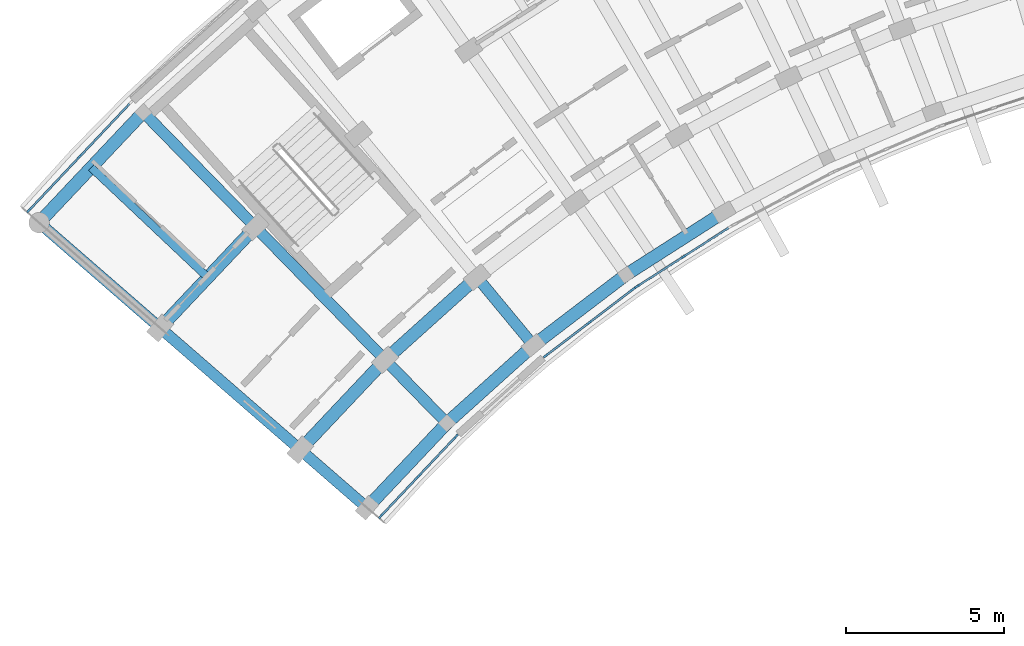
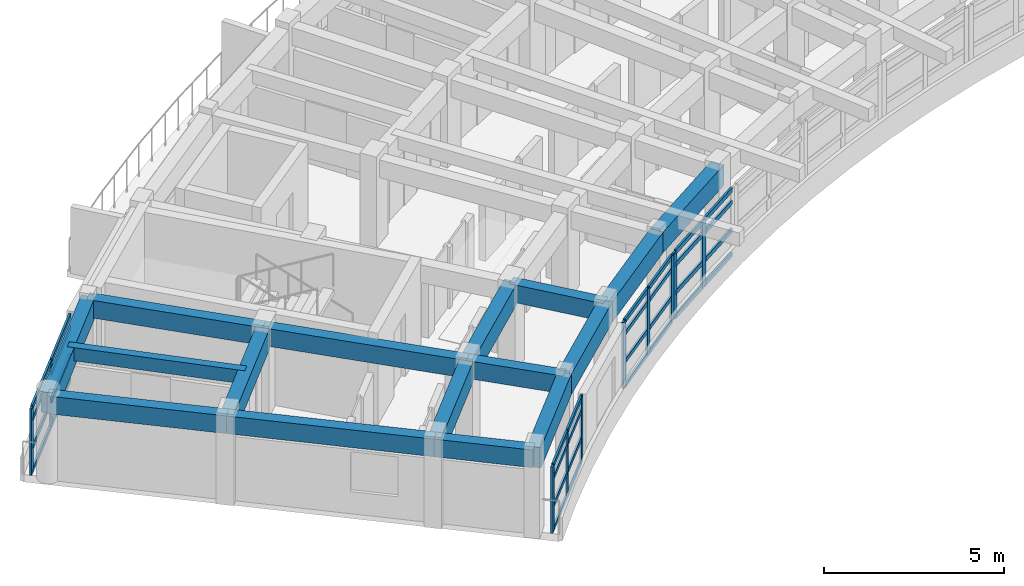
# One storey, part 8 of 50: 42 members, 16 beams, 4 elements without a shape of their own.
"""IFC4 building model written with IfcOpenShell, lengths in metres."""

import ifcopenshell
import ifcopenshell.guid

model = None  # the IFC model being written
_history = None  # IfcOwnerHistory: only IFC2X3 demands one
_inside = {}  # id of a spatial element -> (the spatial element, [elements in it])
_under = {}  # id of a project, library or spatial element -> (it, [spatial elements below it])
_declared = {}  # id of a project -> (the project, [libraries it declares])
_typed = {}  # id of a type object -> (the type object, [elements of that type])
_made_of = {}  # id of a material, layer set ... -> (it, [elements and type objects made of it])


def new_model(schema):
    """Start an empty IFC model of exactly this schema.

    Asked for "IFC4X3", IfcOpenShell would pick the latest addendum, in which some entities
    have other attributes; the version numbers below select the first issue.
    IFC2X3 requires an IfcOwnerHistory on every rooted entity: one is made here for all.
    """
    global model, _history
    if schema == "IFC4X3":
        model = ifcopenshell.file(schema_version=(4, 3, 0, 0))
    else:
        model = ifcopenshell.file(schema=schema)
    _inside.clear()
    _under.clear()
    _declared.clear()
    _typed.clear()
    _made_of.clear()
    _history = None
    if model.schema == "IFC2X3":
        org = make("IfcOrganization", Name="unknown")
        user = make(
            "IfcPersonAndOrganization",
            ThePerson=make("IfcPerson", FamilyName="unknown"),
            TheOrganization=org,
        )
        app = make(
            "IfcApplication",
            ApplicationDeveloper=org,
            Version="unknown",
            ApplicationFullName="unknown",
            ApplicationIdentifier="unknown",
        )
        _history = make(
            "IfcOwnerHistory",
            OwningUser=user,
            OwningApplication=app,
            ChangeAction="ADDED",
            CreationDate=0,
        )
    return model


def make(cls, **values):
    """One entity of the class cls with the attributes given. An attribute that is None is left unset."""
    return model.create_entity(
        cls, **{name: value for name, value in values.items() if value is not None}
    )


def rooted(cls, **values):
    """An entity with a GlobalId (a new one), such as an element, a storey or a relation."""
    return make(cls, GlobalId=ifcopenshell.guid.new(), OwnerHistory=_history, **values)


def si_unit(unit_type, name, prefix=None):
    """IfcSIUnit, for example si_unit("LENGTHUNIT", "METRE", prefix="MILLI")."""
    return make("IfcSIUnit", UnitType=unit_type, Prefix=prefix, Name=name)


def assignment(units):
    """IfcUnitAssignment: the units of a project."""
    return None if units is None else make("IfcUnitAssignment", Units=units)


def point(xyz):
    """IfcCartesianPoint."""
    return None if xyz is None else make("IfcCartesianPoint", Coordinates=xyz)


def direction(xyz):
    """IfcDirection."""
    return None if xyz is None else make("IfcDirection", DirectionRatios=xyz)


def frame(location, z_axis=None, x_axis=None):
    """IfcAxis2Placement3D, a coordinate frame: its origin and axes. An axis left out is left unset."""
    return make(
        "IfcAxis2Placement3D",
        Location=point(location),
        Axis=direction(z_axis),
        RefDirection=direction(x_axis),
    )


def frame_2d(location, x_axis=None):
    """IfcAxis2Placement2D, a coordinate frame in the plane: its origin and x axis."""
    return make(
        "IfcAxis2Placement2D", Location=point(location), RefDirection=direction(x_axis)
    )


def origin():
    """The frame at (0, 0, 0) with its axes left unset."""
    return frame((0.0, 0.0, 0.0))


def origin_2d():
    """The frame at (0, 0) in the plane with its x axis left unset."""
    return frame_2d((0.0, 0.0))


def place(relative_to, where):
    """IfcLocalPlacement: puts the frame where relative to a parent placement (None: the world)."""
    return make(
        "IfcLocalPlacement", PlacementRelTo=relative_to, RelativePlacement=where
    )


def context(
    kind, dimensions, precision=None, world=None, true_north=None, identifier=None
):
    """IfcGeometricRepresentationContext, for example the 3D "Model" context."""
    return make(
        "IfcGeometricRepresentationContext",
        ContextIdentifier=identifier,
        ContextType=kind,
        CoordinateSpaceDimension=dimensions,
        Precision=precision,
        WorldCoordinateSystem=world,
        TrueNorth=true_north,
    )


def subcontext(parent, identifier, kind, view, scale=None):
    """IfcGeometricRepresentationSubContext, for example "Body" below "Model"."""
    return make(
        "IfcGeometricRepresentationSubContext",
        ContextIdentifier=identifier,
        ContextType=kind,
        ParentContext=parent,
        TargetScale=scale,
        TargetView=view,
    )


def project(units=None, contexts=None):
    """IfcProject with its units and contexts."""
    return rooted(
        "IfcProject",
        Name="project",
        RepresentationContexts=contexts,
        UnitsInContext=assignment(units),
    )


def spatial(cls, under=None, at=None, **own):
    """A site, building, storey or space (cls), placed at a placement, below another one or the project."""
    s = rooted(cls, ObjectPlacement=at, **own)
    if under is not None:
        _under.setdefault(under.id(), (under, []))[1].append(s)
    return s


def profile(cls, at=None, kind="AREA", **sizes):
    """A parametric profile (cls). Its sizes go by their IFC names, for example OverallWidth=200.0."""
    return make(cls, ProfileType=kind, Position=at, **sizes)


def rectangle(**sizes):
    """IfcRectangleProfileDef."""
    return profile("IfcRectangleProfileDef", **sizes)


def extrude(swept, where, along, depth):
    """IfcExtrudedAreaSolid: the profile swept, set in the frame where, extruded along a direction by depth."""
    return make(
        "IfcExtrudedAreaSolid",
        SweptArea=swept,
        Position=where,
        ExtrudedDirection=direction(along),
        Depth=depth,
    )


def shape(context_of_items, identifier, shape_type, items):
    """IfcShapeRepresentation: the items that make up one representation, for example the "Body"."""
    return make(
        "IfcShapeRepresentation",
        ContextOfItems=context_of_items,
        RepresentationIdentifier=identifier,
        RepresentationType=shape_type,
        Items=items,
    )


def material(Name=None, Category=None):
    """IfcMaterial."""
    return make("IfcMaterial", Name=Name, Category=Category)


def material_profile(
    of_material, cross_section, Name=None, Category=None, Priority=None
):
    """IfcMaterialProfile: a cross section and its material."""
    return make(
        "IfcMaterialProfile",
        Name=Name,
        Material=of_material,
        Profile=cross_section,
        Priority=Priority,
        Category=Category,
    )


def profile_set(profiles, Name=None, composite=None):
    """IfcMaterialProfileSet."""
    return make(
        "IfcMaterialProfileSet",
        Name=Name,
        MaterialProfiles=profiles,
        CompositeProfile=composite,
    )


def made_of(thing, what):
    """Note that an element or type object is made of a material, layer set ...; save() writes the relation."""
    if what is not None:
        _made_of.setdefault(what.id(), (what, []))[1].append(thing)
    return thing


def type_object(cls, material=None, **own):
    """A type object (cls), such as IfcWallType, which elements share."""
    return made_of(rooted(cls, **own), material)


def element(
    cls,
    number,
    at=None,
    inside=None,
    cuts=None,
    type_object=None,
    material=None,
    context=None,
    identifier="Body",
    shape_type=None,
    held_by="IfcProductDefinitionShape",
    body=None,
    shapes=None,
    **own,
):
    """One element of the class cls, such as IfcWall. Its Tag is "e" and its number.

    at: its placement. inside: the storey or other place that contains it. cuts: it is an
    opening in that element (IfcRelVoidsElement). A single representation is given by context,
    identifier, shape_type and body (its items); several are given by shapes. held_by: the class
    of the entity that holds the representations. save() writes the other relations.
    """
    e = rooted(cls, Tag="e%d" % number, ObjectPlacement=at, **own)
    if body is not None:
        shapes = [shape(context, identifier, shape_type, body)]
    if shapes is not None:
        e.Representation = make(held_by, Representations=shapes)
    if inside is not None:
        _inside.setdefault(inside.id(), (inside, []))[1].append(e)
    if cuts is not None:
        rooted(
            "IfcRelVoidsElement", RelatingBuildingElement=cuts, RelatedOpeningElement=e
        )
    if type_object is not None:
        _typed.setdefault(type_object.id(), (type_object, []))[1].append(e)
    return made_of(e, material)


def aggregate(whole, parts):
    """IfcRelAggregates: a whole, such as a stair, and the parts it consists of."""
    return rooted("IfcRelAggregates", RelatingObject=whole, RelatedObjects=parts)


def save(model, path):
    """Write the relations noted so far, then the file.

    IfcRelAggregates (storeys below a building ...), IfcRelContainedInSpatialStructure (elements
    in a storey), IfcRelDefinesByType, IfcRelAssociatesMaterial and IfcRelDeclares: one each for
    every whole, place, type object, material and project.
    """
    for whole, parts in _under.values():
        aggregate(whole, parts)
    for where, things in _inside.values():
        rooted(
            "IfcRelContainedInSpatialStructure",
            RelatedElements=things,
            RelatingStructure=where,
        )
    for kind, things in _typed.values():
        rooted("IfcRelDefinesByType", RelatedObjects=things, RelatingType=kind)
    for what, things in _made_of.values():
        rooted("IfcRelAssociatesMaterial", RelatedObjects=things, RelatingMaterial=what)
    for by, libraries in _declared.values():
        rooted("IfcRelDeclares", RelatingContext=by, RelatedDefinitions=libraries)
    model.write(path)


model = new_model("IFC4")

# Units and contexts
model_context = context("Model", 3, precision=1e-05, world=origin(), true_north=direction((0.0, 1.0)))
body_context = subcontext(model_context, "Body", "Model", "MODEL_VIEW")
ifc_project = project(units=[si_unit("LENGTHUNIT", "METRE"), si_unit("AREAUNIT", "SQUARE_METRE"), si_unit("VOLUMEUNIT", "CUBIC_METRE"), si_unit("PLANEANGLEUNIT", "RADIAN"), si_unit("MASSUNIT", "GRAM", prefix="KILO")], contexts=[model_context])

# Site, building, storey
site_placement = place(None, origin())
site = spatial("IfcSite", under=ifc_project, at=site_placement, CompositionType="ELEMENT")
building_placement = place(site_placement, origin())
building = spatial("IfcBuilding", under=site, at=building_placement, Name="Zimvara Arc Housing Community", CompositionType="ELEMENT")
storey_placement = place(building_placement, frame((0.0, 0.0, 26.699951171875)))
storey = spatial("IfcBuildingStorey", under=building, at=storey_placement, Name="L08", CompositionType="ELEMENT", Elevation=26.699951171875)

# Beams
ifc_material_1 = material(Name="Concrete C40/50", Category="concrete")
ifc_material_profile_1 = material_profile(ifc_material_1, rectangle(XDim=0.25, YDim=0.449951171875, at=origin_2d()), Name="RC 250x450")
ifc_profile_set_1 = profile_set([ifc_material_profile_1], Name="Concrete C40/50")
beam_type_1 = type_object("IfcBeamType", Name="BM-RC-250x450", PredefinedType="JOIST", material=ifc_profile_set_1)
beam_1_placement = place(storey_placement, frame((5.904296875, 81.3935546875, 2.655029296875), z_axis=(-0.727299876429, 0.686319815936, 0.0), x_axis=(-0.686319815936, -0.727299876429, 0.0)))
element("IfcBeam", 1, at=beam_1_placement, inside=storey, type_object=beam_type_1, Name="bm:blkA:L08:joist:b0", PredefinedType="JOIST", context=body_context, shape_type="SweptSolid", body=[
    extrude(rectangle(XDim=0.25, YDim=0.449951171875, at=origin_2d()), origin(), (0.0, 0.0, 1.0), 5.075927734375),
])
ifc_material_2 = material(Name="Concrete C40/50", Category="concrete")
ifc_material_profile_2 = material_profile(ifc_material_2, rectangle(XDim=0.35009765625, YDim=0.60009765625, at=origin_2d()), Name="RC 350x600")
ifc_profile_set_2 = profile_set([ifc_material_profile_2], Name="Concrete C40/50")
beam_type_2 = type_object("IfcBeamType", Name="BM-RC-350x600", PredefinedType="BEAM", material=ifc_profile_set_2)
beam_2_placement = place(storey_placement, frame((10.947509765625, 74.101318359375, 2.580078125), z_axis=(-0.754733151583, 0.656031912259, 0.0), x_axis=(-0.656031912259, -0.754733151583, 0.0)))
element("IfcBeam", 2, at=beam_2_placement, inside=storey, type_object=beam_type_2, Name="bm:blkA:L08:rad:b0:r01", PredefinedType="BEAM", context=body_context, shape_type="SweptSolid", body=[
    extrude(rectangle(XDim=0.35009765625, YDim=0.60009765625, at=origin_2d()), origin(), (0.0, 0.0, 1.0), 2.800048828125),
])
beam_3_placement = place(storey_placement, frame((8.834228515625, 75.938232421875, 2.580078125), z_axis=(-0.754692223258, 0.656078995362, 0.0), x_axis=(-0.656078995362, -0.754692223258, 0.0)))
element("IfcBeam", 3, at=beam_3_placement, inside=storey, type_object=beam_type_2, Name="bm:blkA:L08:rad:b0:r12", PredefinedType="BEAM", context=body_context, shape_type="SweptSolid", body=[
    extrude(rectangle(XDim=0.35009765625, YDim=0.60009765625, at=origin_2d()), origin(), (0.0, 0.0, 1.0), 5.8798828125),
])
beam_4_placement = place(storey_placement, frame((4.396728515625, 79.7958984375, 2.580078125), z_axis=(-0.754716217499, 0.656051393599, 0.0), x_axis=(-0.656051393599, -0.754716217499, 0.0)))
element("IfcBeam", 4, at=beam_4_placement, inside=storey, type_object=beam_type_2, Name="bm:blkA:L08:rad:b0:r23", PredefinedType="BEAM", context=body_context, shape_type="SweptSolid", body=[
    extrude(rectangle(XDim=0.35009765625, YDim=0.60009765625, at=origin_2d()), origin(), (0.0, 0.0, 1.0), 5.080078125),
])
beam_5_placement = place(storey_placement, frame((13.476318359375, 76.781005859375, 2.580078125), z_axis=(-0.698643013894, 0.71547043205, 0.0), x_axis=(-0.71547043205, -0.698643013894, 0.0)))
element("IfcBeam", 5, at=beam_5_placement, inside=storey, type_object=beam_type_2, Name="bm:blkA:L08:rad:b1:r01", PredefinedType="BEAM", context=body_context, shape_type="SweptSolid", body=[
    extrude(rectangle(XDim=0.35009765625, YDim=0.60009765625, at=origin_2d()), origin(), (0.0, 0.0, 1.0), 2.800048828125),
])
beam_6_placement = place(storey_placement, frame((11.52001953125, 78.784423828125, 2.580078125), z_axis=(-0.698669844288, 0.715444231707, 0.0), x_axis=(-0.715444231707, -0.698669844288, 0.0)))
element("IfcBeam", 6, at=beam_6_placement, inside=storey, type_object=beam_type_2, Name="bm:blkA:L08:rad:b1:r12", PredefinedType="BEAM", context=body_context, shape_type="SweptSolid", body=[
    extrude(rectangle(XDim=0.35009765625, YDim=0.60009765625, at=origin_2d()), origin(), (0.0, 0.0, 1.0), 5.8798828125),
])
beam_7_placement = place(storey_placement, frame((7.411865234375, 82.9912109375, 2.580078125), z_axis=(-0.698670885014, 0.71544321538, 0.0), x_axis=(-0.71544321538, -0.698670885014, 0.0)))
element("IfcBeam", 7, at=beam_7_placement, inside=storey, type_object=beam_type_2, Name="bm:blkA:L08:rad:b1:r23", PredefinedType="BEAM", context=body_context, shape_type="SweptSolid", body=[
    extrude(rectangle(XDim=0.35009765625, YDim=0.60009765625, at=origin_2d()), origin(), (0.0, 0.0, 1.0), 5.080078125),
])
beam_8_placement = place(storey_placement, frame((16.215087890625, 79.245361328125, 2.580078125), z_axis=(-0.637917412223, 0.770104781951, 0.0), x_axis=(-0.770104781951, -0.637917412223, 0.0)))
element("IfcBeam", 8, at=beam_8_placement, inside=storey, type_object=beam_type_2, Name="bm:blkA:L08:rad:b2:r01", PredefinedType="BEAM", context=body_context, shape_type="SweptSolid", body=[
    extrude(rectangle(XDim=0.35009765625, YDim=0.60009765625, at=origin_2d()), origin(), (0.0, 0.0, 1.0), 2.800048828125),
])
ifc_material_3 = material(Name="Concrete C40/50", Category="concrete")
ifc_material_profile_3 = material_profile(ifc_material_3, rectangle(XDim=0.39990234375, YDim=0.699951171875, at=origin_2d()), Name="RC 400x700")
ifc_profile_set_3 = profile_set([ifc_material_profile_3], Name="Concrete C40/50")
beam_type_3 = type_object("IfcBeamType", Name="BM-RC-400x700", PredefinedType="BEAM", material=ifc_profile_set_3)
beam_9_placement = place(storey_placement, frame((10.947509765625, 74.101318359375, 2.530029296875), z_axis=(0.686335517678, 0.727285059088, 0.0), x_axis=(-0.727285059088, 0.686335517678, 0.0)))
element("IfcBeam", 9, at=beam_9_placement, inside=storey, type_object=beam_type_3, Name="bm:blkA:L08:chord:r0:b0", PredefinedType="BEAM", context=body_context, shape_type="SweptSolid", body=[
    extrude(rectangle(XDim=0.39990234375, YDim=0.699951171875, at=origin_2d()), origin(), (0.0, 0.0, 1.0), 3.6845703125),
])
beam_10_placement = place(storey_placement, frame((13.476318359375, 76.781005859375, 2.530029296875), z_axis=(0.743366631239, 0.668884183966, 0.0), x_axis=(-0.668884183966, 0.743366631239, 0.0)))
element("IfcBeam", 10, at=beam_10_placement, inside=storey, type_object=beam_type_3, Name="bm:blkA:L08:chord:r0:b1", PredefinedType="BEAM", context=body_context, shape_type="SweptSolid", body=[
    extrude(rectangle(XDim=0.39990234375, YDim=0.699951171875, at=origin_2d()), origin(), (0.0, 0.0, 1.0), 3.684326171875),
])
beam_11_placement = place(storey_placement, frame((16.215087890625, 79.245361328125, 2.530029296875), z_axis=(0.795453014049, 0.606015265847, 0.0), x_axis=(-0.606015265847, 0.795453014049, 0.0)))
element("IfcBeam", 11, at=beam_11_placement, inside=storey, type_object=beam_type_3, Name="bm:blkA:L08:chord:r0:b2", PredefinedType="BEAM", context=body_context, shape_type="SweptSolid", body=[
    extrude(rectangle(XDim=0.39990234375, YDim=0.699951171875, at=origin_2d()), origin(), (0.0, 0.0, 1.0), 3.6845703125),
])
beam_12_placement = place(storey_placement, frame((19.14599609375, 81.478271484375, 2.530029296875), z_axis=(0.842272604079, 0.539051816079, 0.0), x_axis=(-0.539051816079, 0.842272604079, 0.0)))
element("IfcBeam", 12, at=beam_12_placement, inside=storey, type_object=beam_type_3, Name="bm:blkA:L08:chord:r0:b3", PredefinedType="BEAM", context=body_context, shape_type="SweptSolid", body=[
    extrude(rectangle(XDim=0.39990234375, YDim=0.699951171875, at=origin_2d()), origin(), (0.0, 0.0, 1.0), 3.684326171875),
])
beam_13_placement = place(storey_placement, frame((8.834228515625, 75.938232421875, 2.530029296875), z_axis=(0.686315710793, 0.727303750243, 0.0), x_axis=(-0.727303750243, 0.686315710793, 0.0)))
element("IfcBeam", 13, at=beam_13_placement, inside=storey, type_object=beam_type_3, Name="bm:blkA:L08:chord:r1:b0", PredefinedType="BEAM", context=body_context, shape_type="SweptSolid", body=[
    extrude(rectangle(XDim=0.39990234375, YDim=0.699951171875, at=origin_2d()), origin(), (0.0, 0.0, 1.0), 3.913330078125),
])
beam_14_placement = place(storey_placement, frame((11.52001953125, 78.784423828125, 2.530029296875), z_axis=(0.743402719516, 0.668844074965, 0.0), x_axis=(-0.668844074965, 0.743402719516, 0.0)))
element("IfcBeam", 14, at=beam_14_placement, inside=storey, type_object=beam_type_3, Name="bm:blkA:L08:chord:r1:b1", PredefinedType="BEAM", context=body_context, shape_type="SweptSolid", body=[
    extrude(rectangle(XDim=0.39990234375, YDim=0.699951171875, at=origin_2d()), origin(), (0.0, 0.0, 1.0), 3.9130859375),
])
beam_15_placement = place(storey_placement, frame((4.396728515625, 79.7958984375, 2.530029296875), z_axis=(0.686303637813, 0.727315142648, 0.0), x_axis=(-0.727315142648, 0.686303637813, 0.0)))
element("IfcBeam", 15, at=beam_15_placement, inside=storey, type_object=beam_type_3, Name="bm:blkA:L08:chord:r2:b0", PredefinedType="BEAM", context=body_context, shape_type="SweptSolid", body=[
    extrude(rectangle(XDim=0.39990234375, YDim=0.699951171875, at=origin_2d()), origin(), (0.0, 0.0, 1.0), 4.393310546875),
])
beam_16_placement = place(storey_placement, frame((0.562744140625, 83.128662109375, 2.530029296875), z_axis=(0.6862954451, 0.727322873307, 0.0), x_axis=(-0.727322873307, 0.6862954451, 0.0)))
element("IfcBeam", 16, at=beam_16_placement, inside=storey, type_object=beam_type_3, Name="bm:blkA:L08:chord:r3:b0", PredefinedType="BEAM", context=body_context, shape_type="SweptSolid", body=[
    extrude(rectangle(XDim=0.39990234375, YDim=0.699951171875, at=origin_2d()), origin(), (0.0, 0.0, 1.0), 4.80810546875),
])

# Curtain wall, members
ifc_material_4 = material(Name="Anodised Aluminium AW-6063", Category="aluminium")
curtain_wall_type_1 = type_object("IfcCurtainWallType", Name="CW-SYS-06", PredefinedType="USERDEFINED", material=ifc_material_4)
curtain_wall_1_placement = place(storey_placement, origin())
curtain_wall_1 = element("IfcCurtainWall", 17, at=curtain_wall_1_placement, inside=storey, type_object=curtain_wall_type_1, Name="cw:blkA:L08:in:b0", ObjectType="CURTAIN WALL", PredefinedType="USERDEFINED")
ifc_material_5 = material(Name="Anodised Aluminium AW-6063", Category="aluminium")
ifc_material_profile_4 = material_profile(ifc_material_5, rectangle(XDim=0.06494140625, YDim=0.179931640625, at=origin_2d()), Name="ALU 65x180")
ifc_profile_set_4 = profile_set([ifc_material_profile_4], Name="Anodised Aluminium AW-6063")
member_type_1 = type_object("IfcMemberType", Name="CWM-65x150", PredefinedType="MULLION", material=ifc_profile_set_4)
member_1_placement = place(storey_placement, frame((11.388427734375, 73.840576171875, 0.0), z_axis=(0.0, 0.0, 1.0), x_axis=(-0.727293280483, 0.686326805658, 0.0)))
member_1 = element("IfcMember", 18, at=member_1_placement, type_object=member_type_1, Name="CW06 mullion 1", PredefinedType="MULLION", context=body_context, shape_type="SweptSolid", body=[
    extrude(rectangle(XDim=0.06494140625, YDim=0.179931640625, at=origin_2d()), origin(), (0.0, 0.0, 1.0), 2.25),
])
member_2_placement = place(storey_placement, frame((12.5751953125, 75.098388671875, 0.0), z_axis=(0.0, 0.0, 1.0), x_axis=(-0.727293280483, 0.686326805658, 0.0)))
member_2 = element("IfcMember", 19, at=member_2_placement, type_object=member_type_1, Name="CW06 mullion 2", PredefinedType="MULLION", context=body_context, shape_type="SweptSolid", body=[
    extrude(rectangle(XDim=0.06494140625, YDim=0.179931640625, at=origin_2d()), origin(), (0.0, 0.0, 1.0), 2.25),
])
member_3_placement = place(storey_placement, frame((13.761962890625, 76.35595703125, 0.0), z_axis=(0.0, 0.0, 1.0), x_axis=(-0.727293280483, 0.686326805658, 0.0)))
member_3 = element("IfcMember", 20, at=member_3_placement, type_object=member_type_1, Name="CW06 mullion 3", PredefinedType="MULLION", context=body_context, shape_type="SweptSolid", body=[
    extrude(rectangle(XDim=0.06494140625, YDim=0.179931640625, at=origin_2d()), origin(), (0.0, 0.0, 1.0), 2.25),
])

ifc_material_6 = material(Name="Anodised Aluminium AW-6063", Category="aluminium")
curtain_wall_type_2 = type_object("IfcCurtainWallType", Name="CW-SYS-08", PredefinedType="USERDEFINED", material=ifc_material_6)
curtain_wall_2_placement = place(storey_placement, origin())
curtain_wall_2 = element("IfcCurtainWall", 21, at=curtain_wall_2_placement, inside=storey, type_object=curtain_wall_type_2, Name="cw:blkA:L08:in:b2", ObjectType="CURTAIN WALL", PredefinedType="USERDEFINED")
member_4_placement = place(storey_placement, frame((16.607666015625, 78.91650390625, 0.0), z_axis=(0.0, 0.0, 1.0), x_axis=(-0.605988318533, 0.795473543119, 0.0)))
member_4 = element("IfcMember", 22, at=member_4_placement, type_object=member_type_1, Name="CW08 mullion 1", PredefinedType="MULLION", context=body_context, shape_type="SweptSolid", body=[
    extrude(rectangle(XDim=0.06494140625, YDim=0.179931640625, at=origin_2d()), origin(), (0.0, 0.0, 1.0), 2.25),
])
member_5_placement = place(storey_placement, frame((17.9833984375, 79.96435546875, 0.0), z_axis=(0.0, 0.0, 1.0), x_axis=(-0.605988318533, 0.795473543119, 0.0)))
member_5 = element("IfcMember", 23, at=member_5_placement, type_object=member_type_1, Name="CW08 mullion 2", PredefinedType="MULLION", context=body_context, shape_type="SweptSolid", body=[
    extrude(rectangle(XDim=0.06494140625, YDim=0.179931640625, at=origin_2d()), origin(), (0.0, 0.0, 1.0), 2.25),
])
member_6_placement = place(storey_placement, frame((19.35888671875, 81.012451171875, 0.0), z_axis=(0.0, 0.0, 1.0), x_axis=(-0.605988318533, 0.795473543119, 0.0)))
member_6 = element("IfcMember", 24, at=member_6_placement, type_object=member_type_1, Name="CW08 mullion 3", PredefinedType="MULLION", context=body_context, shape_type="SweptSolid", body=[
    extrude(rectangle(XDim=0.06494140625, YDim=0.179931640625, at=origin_2d()), origin(), (0.0, 0.0, 1.0), 2.25),
])

ifc_material_7 = material(Name="Anodised Aluminium AW-6063", Category="aluminium")
curtain_wall_type_3 = type_object("IfcCurtainWallType", Name="CW-SYS-05", PredefinedType="USERDEFINED", material=ifc_material_7)
curtain_wall_3_placement = place(storey_placement, origin())
curtain_wall_3 = element("IfcCurtainWall", 25, at=curtain_wall_3_placement, inside=storey, type_object=curtain_wall_type_3, Name="cw:blkA:L08:out:b0", ObjectType="CURTAIN WALL", PredefinedType="USERDEFINED")
ifc_material_8 = material(Name="Anodised Aluminium AW-6063", Category="aluminium")
ifc_material_profile_5 = material_profile(ifc_material_8, rectangle(XDim=0.06494140625, YDim=0.195068359375, at=origin_2d()), Name="ALU 65x195")
ifc_profile_set_5 = profile_set([ifc_material_profile_5], Name="Anodised Aluminium AW-6063")
member_type_2 = type_object("IfcMemberType", Name="CWM-65x180", PredefinedType="MULLION", material=ifc_profile_set_5)
member_7_placement = place(storey_placement, frame((0.248779296875, 83.524169921875, 0.0), z_axis=(0.0, 0.0, 1.0), x_axis=(-0.727293647725, 0.686326416495, 0.0)))
member_7 = element("IfcMember", 26, at=member_7_placement, type_object=member_type_2, Name="CW05 mullion 1", PredefinedType="MULLION", context=body_context, shape_type="SweptSolid", body=[
    extrude(rectangle(XDim=0.06494140625, YDim=0.195068359375, at=origin_2d()), origin(), (0.0, 0.0, 1.0), 2.25),
])
member_8_placement = place(storey_placement, frame((1.849365234375, 85.219970703125, 0.0), z_axis=(0.0, 0.0, 1.0), x_axis=(-0.727293647725, 0.686326416495, 0.0)))
member_8 = element("IfcMember", 27, at=member_8_placement, type_object=member_type_2, Name="CW05 mullion 2", PredefinedType="MULLION", context=body_context, shape_type="SweptSolid", body=[
    extrude(rectangle(XDim=0.06494140625, YDim=0.195068359375, at=origin_2d()), origin(), (0.0, 0.0, 1.0), 2.25),
])

ifc_material_9 = material(Name="Anodised Aluminium AW-6063", Category="aluminium")
curtain_wall_type_4 = type_object("IfcCurtainWallType", Name="CW-SYS-01", PredefinedType="USERDEFINED", material=ifc_material_9)
curtain_wall_4_placement = place(storey_placement, origin())
curtain_wall_4 = element("IfcCurtainWall", 28, at=curtain_wall_4_placement, inside=storey, type_object=curtain_wall_type_4, Name="cw:blkA:L08:in:b3", ObjectType="CURTAIN WALL", PredefinedType="USERDEFINED")
member_9_placement = place(storey_placement, frame((19.510498046875, 81.118408203125, 0.0), z_axis=(0.0, 0.0, 1.0), x_axis=(-0.539064085203, 0.842264751752, 0.0)))
member_9 = element("IfcMember", 29, at=member_9_placement, type_object=member_type_2, Name="CW01 mullion 1", PredefinedType="MULLION", context=body_context, shape_type="SweptSolid", body=[
    extrude(rectangle(XDim=0.06494140625, YDim=0.195068359375, at=origin_2d()), origin(), (0.0, 0.0, 1.0), 2.25),
])
member_10_placement = place(storey_placement, frame((20.967041015625, 82.050537109375, 0.0), z_axis=(0.0, 0.0, 1.0), x_axis=(-0.539064085203, 0.842264751752, 0.0)))
member_10 = element("IfcMember", 30, at=member_10_placement, type_object=member_type_2, Name="CW01 mullion 2", PredefinedType="MULLION", context=body_context, shape_type="SweptSolid", body=[
    extrude(rectangle(XDim=0.06494140625, YDim=0.195068359375, at=origin_2d()), origin(), (0.0, 0.0, 1.0), 2.25),
])

# Member
ifc_material_10 = material(Name="Anodised Aluminium AW-6063", Category="aluminium")
ifc_material_profile_6 = material_profile(ifc_material_10, rectangle(XDim=0.06494140625, YDim=0.139892578125, at=origin_2d()), Name="ALU 65x140")
ifc_profile_set_6 = profile_set([ifc_material_profile_6], Name="Anodised Aluminium AW-6063")
member_type_3 = type_object("IfcMemberType", Name="CWT-65x120", PredefinedType="USERDEFINED", material=ifc_profile_set_6)
member_11_placement = place(storey_placement, frame((11.41064453125, 73.8642578125, 0.032470703125), z_axis=(0.686347817597, 0.727273451516, 0.0), x_axis=(-0.727273451516, 0.686347817597, 0.0)))
member_11 = element("IfcMember", 31, at=member_11_placement, type_object=member_type_3, Name="CW06 transom 1.1", ObjectType="TRANSOM", PredefinedType="USERDEFINED", context=body_context, shape_type="SweptSolid", body=[
    extrude(rectangle(XDim=0.06494140625, YDim=0.139892578125, at=origin_2d()), origin(), (0.0, 0.0, 1.0), 1.664306640625),
])

member_12_placement = place(storey_placement, frame((11.41064453125, 73.8642578125, 0.85009765625), z_axis=(0.686347817597, 0.727273451516, 0.0), x_axis=(-0.727273451516, 0.686347817597, 0.0)))
member_12 = element("IfcMember", 32, at=member_12_placement, type_object=member_type_3, Name="CW06 transom 1.2", ObjectType="TRANSOM", PredefinedType="USERDEFINED", context=body_context, shape_type="SweptSolid", body=[
    extrude(rectangle(XDim=0.06494140625, YDim=0.139892578125, at=origin_2d()), origin(), (0.0, 0.0, 1.0), 1.664306640625),
])

member_13_placement = place(storey_placement, frame((11.41064453125, 73.8642578125, 1.800048828125), z_axis=(0.686347817597, 0.727273451516, 0.0), x_axis=(-0.727273451516, 0.686347817597, 0.0)))
member_13 = element("IfcMember", 33, at=member_13_placement, type_object=member_type_3, Name="CW06 transom 1.3", ObjectType="TRANSOM", PredefinedType="USERDEFINED", context=body_context, shape_type="SweptSolid", body=[
    extrude(rectangle(XDim=0.06494140625, YDim=0.139892578125, at=origin_2d()), origin(), (0.0, 0.0, 1.0), 1.664306640625),
])

member_14_placement = place(storey_placement, frame((11.41064453125, 73.8642578125, 2.217529296875), z_axis=(0.686347817597, 0.727273451516, 0.0), x_axis=(-0.727273451516, 0.686347817597, 0.0)))
member_14 = element("IfcMember", 34, at=member_14_placement, type_object=member_type_3, Name="CW06 transom 1.4", ObjectType="TRANSOM", PredefinedType="USERDEFINED", context=body_context, shape_type="SweptSolid", body=[
    extrude(rectangle(XDim=0.06494140625, YDim=0.139892578125, at=origin_2d()), origin(), (0.0, 0.0, 1.0), 1.664306640625),
])

member_15_placement = place(storey_placement, frame((12.597412109375, 75.1220703125, 0.032470703125), z_axis=(0.686347817597, 0.727273451516, 0.0), x_axis=(-0.727273451516, 0.686347817597, 0.0)))
member_15 = element("IfcMember", 35, at=member_15_placement, type_object=member_type_3, Name="CW06 transom 2.1", ObjectType="TRANSOM", PredefinedType="USERDEFINED", context=body_context, shape_type="SweptSolid", body=[
    extrude(rectangle(XDim=0.06494140625, YDim=0.139892578125, at=origin_2d()), origin(), (0.0, 0.0, 1.0), 1.664306640625),
])

member_16_placement = place(storey_placement, frame((12.597412109375, 75.1220703125, 0.85009765625), z_axis=(0.686347817597, 0.727273451516, 0.0), x_axis=(-0.727273451516, 0.686347817597, 0.0)))
member_16 = element("IfcMember", 36, at=member_16_placement, type_object=member_type_3, Name="CW06 transom 2.2", ObjectType="TRANSOM", PredefinedType="USERDEFINED", context=body_context, shape_type="SweptSolid", body=[
    extrude(rectangle(XDim=0.06494140625, YDim=0.139892578125, at=origin_2d()), origin(), (0.0, 0.0, 1.0), 1.664306640625),
])

member_17_placement = place(storey_placement, frame((12.597412109375, 75.1220703125, 1.800048828125), z_axis=(0.686347817597, 0.727273451516, 0.0), x_axis=(-0.727273451516, 0.686347817597, 0.0)))
member_17 = element("IfcMember", 37, at=member_17_placement, type_object=member_type_3, Name="CW06 transom 2.3", ObjectType="TRANSOM", PredefinedType="USERDEFINED", context=body_context, shape_type="SweptSolid", body=[
    extrude(rectangle(XDim=0.06494140625, YDim=0.139892578125, at=origin_2d()), origin(), (0.0, 0.0, 1.0), 1.664306640625),
])

member_18_placement = place(storey_placement, frame((12.597412109375, 75.1220703125, 2.217529296875), z_axis=(0.686347817597, 0.727273451516, 0.0), x_axis=(-0.727273451516, 0.686347817597, 0.0)))
member_18 = element("IfcMember", 38, at=member_18_placement, type_object=member_type_3, Name="CW06 transom 2.4", ObjectType="TRANSOM", PredefinedType="USERDEFINED", context=body_context, shape_type="SweptSolid", body=[
    extrude(rectangle(XDim=0.06494140625, YDim=0.139892578125, at=origin_2d()), origin(), (0.0, 0.0, 1.0), 1.664306640625),
])

aggregate(curtain_wall_1, [member_1, member_2, member_3, member_11, member_12, member_13, member_14, member_15, member_16, member_17, member_18])

member_19_placement = place(storey_placement, frame((16.633544921875, 78.936279296875, 0.032470703125), z_axis=(0.795488960577, 0.605968079687, 0.0), x_axis=(-0.605968079687, 0.795488960577, 0.0)))
member_19 = element("IfcMember", 39, at=member_19_placement, type_object=member_type_3, Name="CW08 transom 1.1", ObjectType="TRANSOM", PredefinedType="USERDEFINED", context=body_context, shape_type="SweptSolid", body=[
    extrude(rectangle(XDim=0.06494140625, YDim=0.139892578125, at=origin_2d()), origin(), (0.0, 0.0, 1.0), 1.664306640625),
])

member_20_placement = place(storey_placement, frame((16.633544921875, 78.936279296875, 0.85009765625), z_axis=(0.795488960577, 0.605968079687, 0.0), x_axis=(-0.605968079687, 0.795488960577, 0.0)))
member_20 = element("IfcMember", 40, at=member_20_placement, type_object=member_type_3, Name="CW08 transom 1.2", ObjectType="TRANSOM", PredefinedType="USERDEFINED", context=body_context, shape_type="SweptSolid", body=[
    extrude(rectangle(XDim=0.06494140625, YDim=0.139892578125, at=origin_2d()), origin(), (0.0, 0.0, 1.0), 1.664306640625),
])

member_21_placement = place(storey_placement, frame((16.633544921875, 78.936279296875, 1.800048828125), z_axis=(0.795488960577, 0.605968079687, 0.0), x_axis=(-0.605968079687, 0.795488960577, 0.0)))
member_21 = element("IfcMember", 41, at=member_21_placement, type_object=member_type_3, Name="CW08 transom 1.3", ObjectType="TRANSOM", PredefinedType="USERDEFINED", context=body_context, shape_type="SweptSolid", body=[
    extrude(rectangle(XDim=0.06494140625, YDim=0.139892578125, at=origin_2d()), origin(), (0.0, 0.0, 1.0), 1.664306640625),
])

member_22_placement = place(storey_placement, frame((16.633544921875, 78.936279296875, 2.217529296875), z_axis=(0.795488960577, 0.605968079687, 0.0), x_axis=(-0.605968079687, 0.795488960577, 0.0)))
member_22 = element("IfcMember", 42, at=member_22_placement, type_object=member_type_3, Name="CW08 transom 1.4", ObjectType="TRANSOM", PredefinedType="USERDEFINED", context=body_context, shape_type="SweptSolid", body=[
    extrude(rectangle(XDim=0.06494140625, YDim=0.139892578125, at=origin_2d()), origin(), (0.0, 0.0, 1.0), 1.664306640625),
])

member_23_placement = place(storey_placement, frame((18.00927734375, 79.984130859375, 0.032470703125), z_axis=(0.795435087713, 0.606038795157, 0.0), x_axis=(-0.606038795157, 0.795435087713, 0.0)))
member_23 = element("IfcMember", 43, at=member_23_placement, type_object=member_type_3, Name="CW08 transom 2.1", ObjectType="TRANSOM", PredefinedType="USERDEFINED", context=body_context, shape_type="SweptSolid", body=[
    extrude(rectangle(XDim=0.06494140625, YDim=0.139892578125, at=origin_2d()), origin(), (0.0, 0.0, 1.0), 1.6640625),
])

member_24_placement = place(storey_placement, frame((18.00927734375, 79.984130859375, 0.85009765625), z_axis=(0.795435087713, 0.606038795157, 0.0), x_axis=(-0.606038795157, 0.795435087713, 0.0)))
member_24 = element("IfcMember", 44, at=member_24_placement, type_object=member_type_3, Name="CW08 transom 2.2", ObjectType="TRANSOM", PredefinedType="USERDEFINED", context=body_context, shape_type="SweptSolid", body=[
    extrude(rectangle(XDim=0.06494140625, YDim=0.139892578125, at=origin_2d()), origin(), (0.0, 0.0, 1.0), 1.6640625),
])

member_25_placement = place(storey_placement, frame((18.00927734375, 79.984130859375, 1.800048828125), z_axis=(0.795435087713, 0.606038795157, 0.0), x_axis=(-0.606038795157, 0.795435087713, 0.0)))
member_25 = element("IfcMember", 45, at=member_25_placement, type_object=member_type_3, Name="CW08 transom 2.3", ObjectType="TRANSOM", PredefinedType="USERDEFINED", context=body_context, shape_type="SweptSolid", body=[
    extrude(rectangle(XDim=0.06494140625, YDim=0.139892578125, at=origin_2d()), origin(), (0.0, 0.0, 1.0), 1.6640625),
])

member_26_placement = place(storey_placement, frame((18.00927734375, 79.984130859375, 2.217529296875), z_axis=(0.795435087713, 0.606038795157, 0.0), x_axis=(-0.606038795157, 0.795435087713, 0.0)))
member_26 = element("IfcMember", 46, at=member_26_placement, type_object=member_type_3, Name="CW08 transom 2.4", ObjectType="TRANSOM", PredefinedType="USERDEFINED", context=body_context, shape_type="SweptSolid", body=[
    extrude(rectangle(XDim=0.06494140625, YDim=0.139892578125, at=origin_2d()), origin(), (0.0, 0.0, 1.0), 1.6640625),
])

aggregate(curtain_wall_2, [member_4, member_5, member_6, member_19, member_20, member_21, member_22, member_23, member_24, member_25, member_26])

ifc_material_11 = material(Name="Anodised Aluminium AW-6063", Category="aluminium")
ifc_material_profile_7 = material_profile(ifc_material_11, rectangle(XDim=0.06494140625, YDim=0.155029296875, at=origin_2d()), Name="ALU 65x155")
ifc_profile_set_7 = profile_set([ifc_material_profile_7], Name="Anodised Aluminium AW-6063")
member_type_4 = type_object("IfcMemberType", Name="CWT-65x140", PredefinedType="USERDEFINED", material=ifc_profile_set_7)
member_27_placement = place(storey_placement, frame((0.271240234375, 83.547607421875, 0.032470703125), z_axis=(0.68623762882, 0.727377423894, 0.0), x_axis=(-0.727377423894, 0.68623762882, 0.0)))
member_27 = element("IfcMember", 47, at=member_27_placement, type_object=member_type_4, Name="CW05 transom 1.1", ObjectType="TRANSOM", PredefinedType="USERDEFINED", context=body_context, shape_type="SweptSolid", body=[
    extrude(rectangle(XDim=0.06494140625, YDim=0.155029296875, at=origin_2d()), origin(), (0.0, 0.0, 1.0), 2.266845703125),
])

member_28_placement = place(storey_placement, frame((0.271240234375, 83.547607421875, 0.85009765625), z_axis=(0.68623762882, 0.727377423894, 0.0), x_axis=(-0.727377423894, 0.68623762882, 0.0)))
member_28 = element("IfcMember", 48, at=member_28_placement, type_object=member_type_4, Name="CW05 transom 1.2", ObjectType="TRANSOM", PredefinedType="USERDEFINED", context=body_context, shape_type="SweptSolid", body=[
    extrude(rectangle(XDim=0.06494140625, YDim=0.155029296875, at=origin_2d()), origin(), (0.0, 0.0, 1.0), 2.266845703125),
])

member_29_placement = place(storey_placement, frame((0.271240234375, 83.547607421875, 1.800048828125), z_axis=(0.68623762882, 0.727377423894, 0.0), x_axis=(-0.727377423894, 0.68623762882, 0.0)))
member_29 = element("IfcMember", 49, at=member_29_placement, type_object=member_type_4, Name="CW05 transom 1.3", ObjectType="TRANSOM", PredefinedType="USERDEFINED", context=body_context, shape_type="SweptSolid", body=[
    extrude(rectangle(XDim=0.06494140625, YDim=0.155029296875, at=origin_2d()), origin(), (0.0, 0.0, 1.0), 2.266845703125),
])

member_30_placement = place(storey_placement, frame((0.271240234375, 83.547607421875, 2.217529296875), z_axis=(0.68623762882, 0.727377423894, 0.0), x_axis=(-0.727377423894, 0.68623762882, 0.0)))
member_30 = element("IfcMember", 50, at=member_30_placement, type_object=member_type_4, Name="CW05 transom 1.4", ObjectType="TRANSOM", PredefinedType="USERDEFINED", context=body_context, shape_type="SweptSolid", body=[
    extrude(rectangle(XDim=0.06494140625, YDim=0.155029296875, at=origin_2d()), origin(), (0.0, 0.0, 1.0), 2.266845703125),
])

member_31_placement = place(storey_placement, frame((1.87158203125, 85.24365234375, 0.032470703125), z_axis=(0.686348357589, 0.727272941911, 0.0), x_axis=(-0.727272941911, 0.686348357589, 0.0)))
member_31 = element("IfcMember", 51, at=member_31_placement, type_object=member_type_4, Name="CW05 transom 2.1", ObjectType="TRANSOM", PredefinedType="USERDEFINED", context=body_context, shape_type="SweptSolid", body=[
    extrude(rectangle(XDim=0.06494140625, YDim=0.155029296875, at=origin_2d()), origin(), (0.0, 0.0, 1.0), 2.266845703125),
])

member_32_placement = place(storey_placement, frame((1.87158203125, 85.24365234375, 0.85009765625), z_axis=(0.686348357589, 0.727272941911, 0.0), x_axis=(-0.727272941911, 0.686348357589, 0.0)))
member_32 = element("IfcMember", 52, at=member_32_placement, type_object=member_type_4, Name="CW05 transom 2.2", ObjectType="TRANSOM", PredefinedType="USERDEFINED", context=body_context, shape_type="SweptSolid", body=[
    extrude(rectangle(XDim=0.06494140625, YDim=0.155029296875, at=origin_2d()), origin(), (0.0, 0.0, 1.0), 2.266845703125),
])

member_33_placement = place(storey_placement, frame((1.87158203125, 85.24365234375, 1.800048828125), z_axis=(0.686348357589, 0.727272941911, 0.0), x_axis=(-0.727272941911, 0.686348357589, 0.0)))
member_33 = element("IfcMember", 53, at=member_33_placement, type_object=member_type_4, Name="CW05 transom 2.3", ObjectType="TRANSOM", PredefinedType="USERDEFINED", context=body_context, shape_type="SweptSolid", body=[
    extrude(rectangle(XDim=0.06494140625, YDim=0.155029296875, at=origin_2d()), origin(), (0.0, 0.0, 1.0), 2.266845703125),
])

member_34_placement = place(storey_placement, frame((1.87158203125, 85.24365234375, 2.217529296875), z_axis=(0.686348357589, 0.727272941911, 0.0), x_axis=(-0.727272941911, 0.686348357589, 0.0)))
member_34 = element("IfcMember", 54, at=member_34_placement, type_object=member_type_4, Name="CW05 transom 2.4", ObjectType="TRANSOM", PredefinedType="USERDEFINED", context=body_context, shape_type="SweptSolid", body=[
    extrude(rectangle(XDim=0.06494140625, YDim=0.155029296875, at=origin_2d()), origin(), (0.0, 0.0, 1.0), 2.266845703125),
])

aggregate(curtain_wall_3, [member_7, member_8, member_27, member_28, member_29, member_30, member_31, member_32, member_33, member_34])

member_35_placement = place(storey_placement, frame((19.537841796875, 81.1357421875, 0.032470703125), z_axis=(0.842263408668, 0.539066183709, 0.0), x_axis=(-0.539066183709, 0.842263408668, 0.0)))
member_35 = element("IfcMember", 55, at=member_35_placement, type_object=member_type_4, Name="CW01 transom 1.1", ObjectType="TRANSOM", PredefinedType="USERDEFINED", context=body_context, shape_type="SweptSolid", body=[
    extrude(rectangle(XDim=0.06494140625, YDim=0.155029296875, at=origin_2d()), origin(), (0.0, 0.0, 1.0), 1.664306640625),
])

member_36_placement = place(storey_placement, frame((19.537841796875, 81.1357421875, 0.85009765625), z_axis=(0.842263408668, 0.539066183709, 0.0), x_axis=(-0.539066183709, 0.842263408668, 0.0)))
member_36 = element("IfcMember", 56, at=member_36_placement, type_object=member_type_4, Name="CW01 transom 1.2", ObjectType="TRANSOM", PredefinedType="USERDEFINED", context=body_context, shape_type="SweptSolid", body=[
    extrude(rectangle(XDim=0.06494140625, YDim=0.155029296875, at=origin_2d()), origin(), (0.0, 0.0, 1.0), 1.664306640625),
])

member_37_placement = place(storey_placement, frame((19.537841796875, 81.1357421875, 1.800048828125), z_axis=(0.842263408668, 0.539066183709, 0.0), x_axis=(-0.539066183709, 0.842263408668, 0.0)))
member_37 = element("IfcMember", 57, at=member_37_placement, type_object=member_type_4, Name="CW01 transom 1.3", ObjectType="TRANSOM", PredefinedType="USERDEFINED", context=body_context, shape_type="SweptSolid", body=[
    extrude(rectangle(XDim=0.06494140625, YDim=0.155029296875, at=origin_2d()), origin(), (0.0, 0.0, 1.0), 1.664306640625),
])

member_38_placement = place(storey_placement, frame((19.537841796875, 81.1357421875, 2.217529296875), z_axis=(0.842263408668, 0.539066183709, 0.0), x_axis=(-0.539066183709, 0.842263408668, 0.0)))
member_38 = element("IfcMember", 58, at=member_38_placement, type_object=member_type_4, Name="CW01 transom 1.4", ObjectType="TRANSOM", PredefinedType="USERDEFINED", context=body_context, shape_type="SweptSolid", body=[
    extrude(rectangle(XDim=0.06494140625, YDim=0.155029296875, at=origin_2d()), origin(), (0.0, 0.0, 1.0), 1.664306640625),
])

member_39_placement = place(storey_placement, frame((20.994384765625, 82.068115234375, 0.032470703125), z_axis=(0.842330007588, 0.538962112135, 0.0), x_axis=(-0.538962112135, 0.842330007588, 0.0)))
member_39 = element("IfcMember", 59, at=member_39_placement, type_object=member_type_4, Name="CW01 transom 2.1", ObjectType="TRANSOM", PredefinedType="USERDEFINED", context=body_context, shape_type="SweptSolid", body=[
    extrude(rectangle(XDim=0.06494140625, YDim=0.155029296875, at=origin_2d()), origin(), (0.0, 0.0, 1.0), 1.664306640625),
])

member_40_placement = place(storey_placement, frame((20.994384765625, 82.068115234375, 0.85009765625), z_axis=(0.842330007588, 0.538962112135, 0.0), x_axis=(-0.538962112135, 0.842330007588, 0.0)))
member_40 = element("IfcMember", 60, at=member_40_placement, type_object=member_type_4, Name="CW01 transom 2.2", ObjectType="TRANSOM", PredefinedType="USERDEFINED", context=body_context, shape_type="SweptSolid", body=[
    extrude(rectangle(XDim=0.06494140625, YDim=0.155029296875, at=origin_2d()), origin(), (0.0, 0.0, 1.0), 1.664306640625),
])

member_41_placement = place(storey_placement, frame((20.994384765625, 82.068115234375, 1.800048828125), z_axis=(0.842330007588, 0.538962112135, 0.0), x_axis=(-0.538962112135, 0.842330007588, 0.0)))
member_41 = element("IfcMember", 61, at=member_41_placement, type_object=member_type_4, Name="CW01 transom 2.3", ObjectType="TRANSOM", PredefinedType="USERDEFINED", context=body_context, shape_type="SweptSolid", body=[
    extrude(rectangle(XDim=0.06494140625, YDim=0.155029296875, at=origin_2d()), origin(), (0.0, 0.0, 1.0), 1.664306640625),
])

member_42_placement = place(storey_placement, frame((20.994384765625, 82.068115234375, 2.217529296875), z_axis=(0.842330007588, 0.538962112135, 0.0), x_axis=(-0.538962112135, 0.842330007588, 0.0)))
member_42 = element("IfcMember", 62, at=member_42_placement, type_object=member_type_4, Name="CW01 transom 2.4", ObjectType="TRANSOM", PredefinedType="USERDEFINED", context=body_context, shape_type="SweptSolid", body=[
    extrude(rectangle(XDim=0.06494140625, YDim=0.155029296875, at=origin_2d()), origin(), (0.0, 0.0, 1.0), 1.664306640625),
])

aggregate(curtain_wall_4, [member_9, member_10, member_35, member_36, member_37, member_38, member_39, member_40, member_41, member_42])

save(model, "model.ifc")
